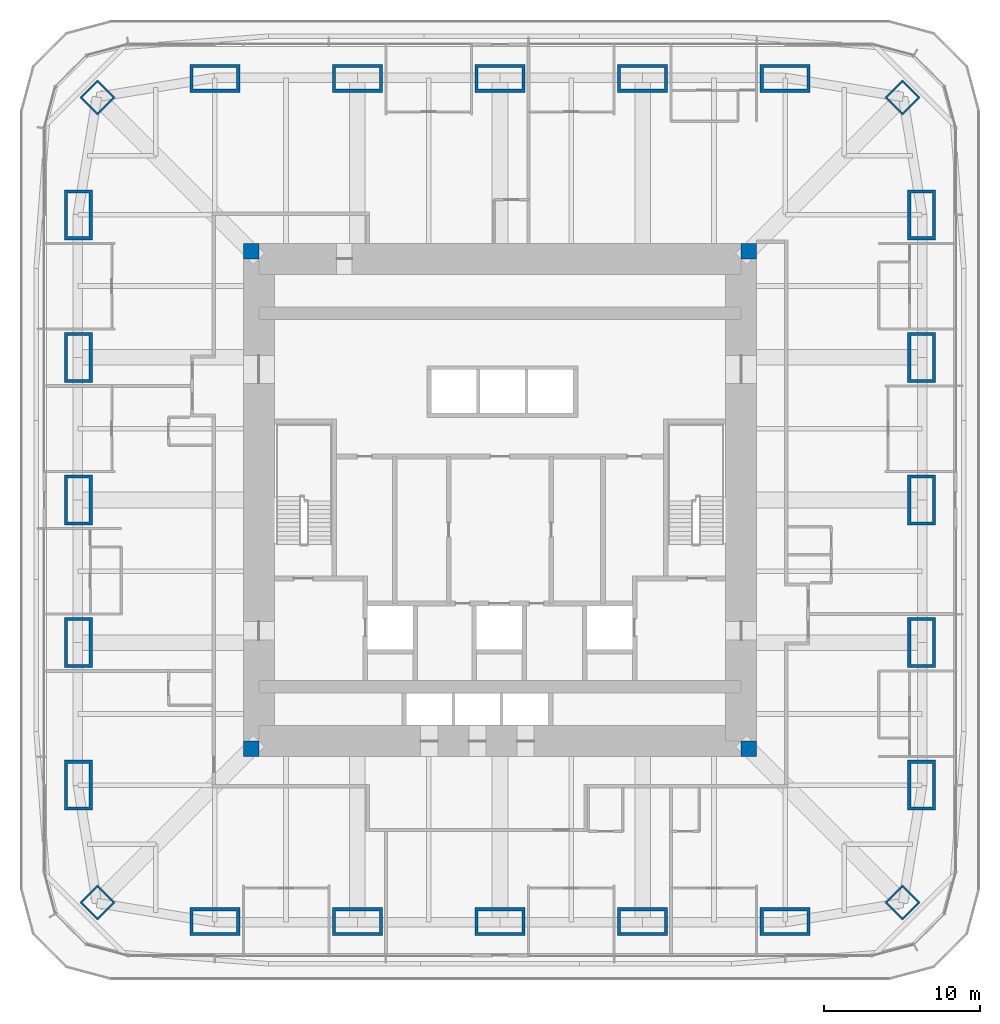
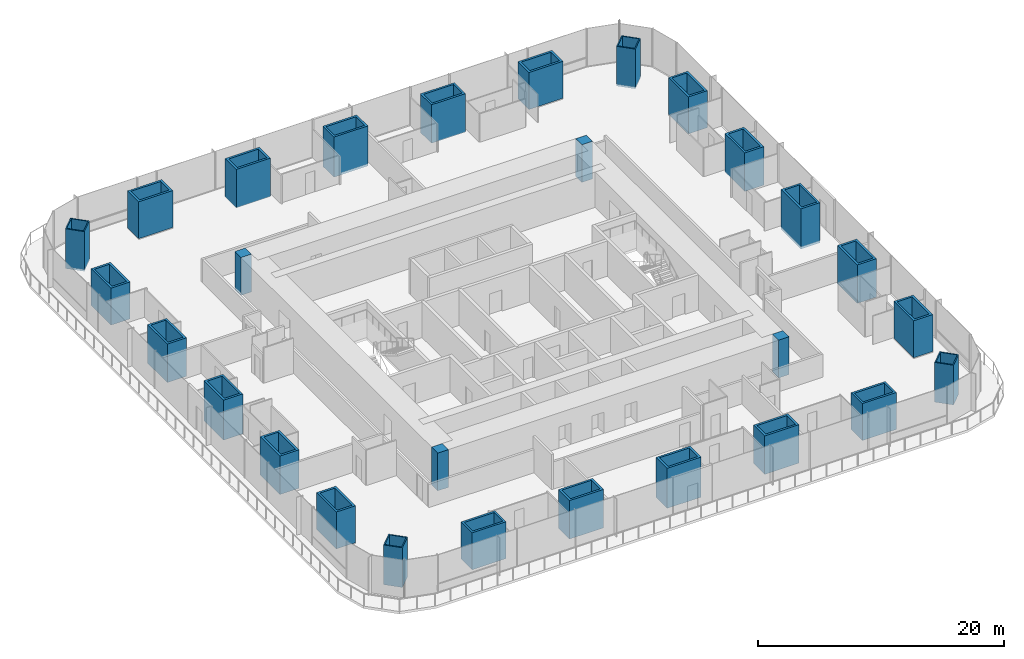
# One storey, part 1 of 16: 28 columns.
"""IFC4 building model written with IfcOpenShell, lengths in metres."""

import ifcopenshell
import ifcopenshell.guid

model = None  # the IFC model being written
_history = None  # IfcOwnerHistory: only IFC2X3 demands one
_inside = {}  # id of a spatial element -> (the spatial element, [elements in it])
_under = {}  # id of a project, library or spatial element -> (it, [spatial elements below it])
_declared = {}  # id of a project -> (the project, [libraries it declares])
_typed = {}  # id of a type object -> (the type object, [elements of that type])
_made_of = {}  # id of a material, layer set ... -> (it, [elements and type objects made of it])


def new_model(schema):
    """Start an empty IFC model of exactly this schema.

    Asked for "IFC4X3", IfcOpenShell would pick the latest addendum, in which some entities
    have other attributes; the version numbers below select the first issue.
    IFC2X3 requires an IfcOwnerHistory on every rooted entity: one is made here for all.
    """
    global model, _history
    if schema == "IFC4X3":
        model = ifcopenshell.file(schema_version=(4, 3, 0, 0))
    else:
        model = ifcopenshell.file(schema=schema)
    _inside.clear()
    _under.clear()
    _declared.clear()
    _typed.clear()
    _made_of.clear()
    _history = None
    if model.schema == "IFC2X3":
        org = make("IfcOrganization", Name="unknown")
        user = make(
            "IfcPersonAndOrganization",
            ThePerson=make("IfcPerson", FamilyName="unknown"),
            TheOrganization=org,
        )
        app = make(
            "IfcApplication",
            ApplicationDeveloper=org,
            Version="unknown",
            ApplicationFullName="unknown",
            ApplicationIdentifier="unknown",
        )
        _history = make(
            "IfcOwnerHistory",
            OwningUser=user,
            OwningApplication=app,
            ChangeAction="ADDED",
            CreationDate=0,
        )
    return model


def make(cls, **values):
    """One entity of the class cls with the attributes given. An attribute that is None is left unset."""
    return model.create_entity(
        cls, **{name: value for name, value in values.items() if value is not None}
    )


def rooted(cls, **values):
    """An entity with a GlobalId (a new one), such as an element, a storey or a relation."""
    return make(cls, GlobalId=ifcopenshell.guid.new(), OwnerHistory=_history, **values)


def si_unit(unit_type, name, prefix=None):
    """IfcSIUnit, for example si_unit("LENGTHUNIT", "METRE", prefix="MILLI")."""
    return make("IfcSIUnit", UnitType=unit_type, Prefix=prefix, Name=name)


def assignment(units):
    """IfcUnitAssignment: the units of a project."""
    return None if units is None else make("IfcUnitAssignment", Units=units)


def point(xyz):
    """IfcCartesianPoint."""
    return None if xyz is None else make("IfcCartesianPoint", Coordinates=xyz)


def direction(xyz):
    """IfcDirection."""
    return None if xyz is None else make("IfcDirection", DirectionRatios=xyz)


def frame(location, z_axis=None, x_axis=None):
    """IfcAxis2Placement3D, a coordinate frame: its origin and axes. An axis left out is left unset."""
    return make(
        "IfcAxis2Placement3D",
        Location=point(location),
        Axis=direction(z_axis),
        RefDirection=direction(x_axis),
    )


def frame_2d(location, x_axis=None):
    """IfcAxis2Placement2D, a coordinate frame in the plane: its origin and x axis."""
    return make(
        "IfcAxis2Placement2D", Location=point(location), RefDirection=direction(x_axis)
    )


def origin():
    """The frame at (0, 0, 0) with its axes left unset."""
    return frame((0.0, 0.0, 0.0))


def origin_2d():
    """The frame at (0, 0) in the plane with its x axis left unset."""
    return frame_2d((0.0, 0.0))


def place(relative_to, where):
    """IfcLocalPlacement: puts the frame where relative to a parent placement (None: the world)."""
    return make(
        "IfcLocalPlacement", PlacementRelTo=relative_to, RelativePlacement=where
    )


def context(
    kind, dimensions, precision=None, world=None, true_north=None, identifier=None
):
    """IfcGeometricRepresentationContext, for example the 3D "Model" context."""
    return make(
        "IfcGeometricRepresentationContext",
        ContextIdentifier=identifier,
        ContextType=kind,
        CoordinateSpaceDimension=dimensions,
        Precision=precision,
        WorldCoordinateSystem=world,
        TrueNorth=true_north,
    )


def subcontext(parent, identifier, kind, view, scale=None):
    """IfcGeometricRepresentationSubContext, for example "Body" below "Model"."""
    return make(
        "IfcGeometricRepresentationSubContext",
        ContextIdentifier=identifier,
        ContextType=kind,
        ParentContext=parent,
        TargetScale=scale,
        TargetView=view,
    )


def project(units=None, contexts=None):
    """IfcProject with its units and contexts."""
    return rooted(
        "IfcProject",
        Name="project",
        RepresentationContexts=contexts,
        UnitsInContext=assignment(units),
    )


def spatial(cls, under=None, at=None, **own):
    """A site, building, storey or space (cls), placed at a placement, below another one or the project."""
    s = rooted(cls, ObjectPlacement=at, **own)
    if under is not None:
        _under.setdefault(under.id(), (under, []))[1].append(s)
    return s


def profile(cls, at=None, kind="AREA", **sizes):
    """A parametric profile (cls). Its sizes go by their IFC names, for example OverallWidth=200.0."""
    return make(cls, ProfileType=kind, Position=at, **sizes)


def rectangle(**sizes):
    """IfcRectangleProfileDef."""
    return profile("IfcRectangleProfileDef", **sizes)


def hollow_rectangle(**sizes):
    """IfcRectangleHollowProfileDef."""
    return profile("IfcRectangleHollowProfileDef", **sizes)


def extrude(swept, where, along, depth):
    """IfcExtrudedAreaSolid: the profile swept, set in the frame where, extruded along a direction by depth."""
    return make(
        "IfcExtrudedAreaSolid",
        SweptArea=swept,
        Position=where,
        ExtrudedDirection=direction(along),
        Depth=depth,
    )


def shape(context_of_items, identifier, shape_type, items):
    """IfcShapeRepresentation: the items that make up one representation, for example the "Body"."""
    return make(
        "IfcShapeRepresentation",
        ContextOfItems=context_of_items,
        RepresentationIdentifier=identifier,
        RepresentationType=shape_type,
        Items=items,
    )


def material(Name=None, Category=None):
    """IfcMaterial."""
    return make("IfcMaterial", Name=Name, Category=Category)


def material_profile(
    of_material, cross_section, Name=None, Category=None, Priority=None
):
    """IfcMaterialProfile: a cross section and its material."""
    return make(
        "IfcMaterialProfile",
        Name=Name,
        Material=of_material,
        Profile=cross_section,
        Priority=Priority,
        Category=Category,
    )


def profile_set(profiles, Name=None, composite=None):
    """IfcMaterialProfileSet."""
    return make(
        "IfcMaterialProfileSet",
        Name=Name,
        MaterialProfiles=profiles,
        CompositeProfile=composite,
    )


def made_of(thing, what):
    """Note that an element or type object is made of a material, layer set ...; save() writes the relation."""
    if what is not None:
        _made_of.setdefault(what.id(), (what, []))[1].append(thing)
    return thing


def type_object(cls, material=None, **own):
    """A type object (cls), such as IfcWallType, which elements share."""
    return made_of(rooted(cls, **own), material)


def element(
    cls,
    number,
    at=None,
    inside=None,
    cuts=None,
    type_object=None,
    material=None,
    context=None,
    identifier="Body",
    shape_type=None,
    held_by="IfcProductDefinitionShape",
    body=None,
    shapes=None,
    **own,
):
    """One element of the class cls, such as IfcWall. Its Tag is "e" and its number.

    at: its placement. inside: the storey or other place that contains it. cuts: it is an
    opening in that element (IfcRelVoidsElement). A single representation is given by context,
    identifier, shape_type and body (its items); several are given by shapes. held_by: the class
    of the entity that holds the representations. save() writes the other relations.
    """
    e = rooted(cls, Tag="e%d" % number, ObjectPlacement=at, **own)
    if body is not None:
        shapes = [shape(context, identifier, shape_type, body)]
    if shapes is not None:
        e.Representation = make(held_by, Representations=shapes)
    if inside is not None:
        _inside.setdefault(inside.id(), (inside, []))[1].append(e)
    if cuts is not None:
        rooted(
            "IfcRelVoidsElement", RelatingBuildingElement=cuts, RelatedOpeningElement=e
        )
    if type_object is not None:
        _typed.setdefault(type_object.id(), (type_object, []))[1].append(e)
    return made_of(e, material)


def aggregate(whole, parts):
    """IfcRelAggregates: a whole, such as a stair, and the parts it consists of."""
    return rooted("IfcRelAggregates", RelatingObject=whole, RelatedObjects=parts)


def save(model, path):
    """Write the relations noted so far, then the file.

    IfcRelAggregates (storeys below a building ...), IfcRelContainedInSpatialStructure (elements
    in a storey), IfcRelDefinesByType, IfcRelAssociatesMaterial and IfcRelDeclares: one each for
    every whole, place, type object, material and project.
    """
    for whole, parts in _under.values():
        aggregate(whole, parts)
    for where, things in _inside.values():
        rooted(
            "IfcRelContainedInSpatialStructure",
            RelatedElements=things,
            RelatingStructure=where,
        )
    for kind, things in _typed.values():
        rooted("IfcRelDefinesByType", RelatedObjects=things, RelatingType=kind)
    for what, things in _made_of.values():
        rooted("IfcRelAssociatesMaterial", RelatedObjects=things, RelatingMaterial=what)
    for by, libraries in _declared.values():
        rooted("IfcRelDeclares", RelatingContext=by, RelatedDefinitions=libraries)
    model.write(path)


model = new_model("IFC4")

# Units and contexts
model_context = context("Model", 3, precision=1e-05, world=origin(), true_north=direction((0.0, 1.0)))
body_context = subcontext(model_context, "Body", "Model", "MODEL_VIEW")
ifc_project = project(units=[si_unit("LENGTHUNIT", "METRE"), si_unit("AREAUNIT", "SQUARE_METRE"), si_unit("VOLUMEUNIT", "CUBIC_METRE"), si_unit("PLANEANGLEUNIT", "RADIAN"), si_unit("MASSUNIT", "GRAM", prefix="KILO")], contexts=[model_context])

# Site, building, storey
site_placement = place(None, origin())
site = spatial("IfcSite", under=ifc_project, at=site_placement, CompositionType="ELEMENT")
building_placement = place(site_placement, origin())
building = spatial("IfcBuilding", under=site, at=building_placement, Name="Khuree Lantern Residences", CompositionType="ELEMENT")
storey_placement = place(building_placement, frame((0.0, 0.0, 107.25)))
storey = spatial("IfcBuildingStorey", under=building, at=storey_placement, Name="L26", CompositionType="ELEMENT", Elevation=107.25)

# Columns
ifc_material_1 = material(Name="Steel S355 CFT welded box", Category="steel")
ifc_material_profile_1 = material_profile(ifc_material_1, hollow_rectangle(XDim=1.60009765625, YDim=1.60009765625, WallThickness=0.10009765625, at=origin_2d()), Name="WELDED BOX 1600X1600X100")
ifc_profile_set_1 = profile_set([ifc_material_profile_1], Name="Steel S355 CFT welded box")
column_type_1 = type_object("IfcColumnType", Name="CC1600 PERIMETER CORNER MEGA COLUMN WELDED BOX 1600X1600X100", PredefinedType="COLUMN", material=ifc_profile_set_1)
for number, where, z_axis, x_axis, name in (
    (1, (25.869873046875, 25.869873046875, -0.18994140625), (0.0, 0.0, 1.0), (0.707106781187, -0.707106781187, 0.0), "Perimeter column NE"),
    (2, (25.869873046875, -25.869873046875, -0.18994140625), (0.0, 0.0, 1.0), (0.707106781187, 0.707106781187, 0.0), "Perimeter column SE"),
    (3, (-25.869873046875, -25.869873046875, -0.18994140625), (0.0, 0.0, 1.0), (0.707106781187, -0.707106781187, 0.0), "Perimeter column SW"),
    (4, (-25.869873046875, 25.869873046875, -0.18994140625), (0.0, 0.0, 1.0), (0.707106781187, 0.707106781187, 0.0), "Perimeter column NW"),
):
    element("IfcColumn", number, at=place(storey_placement, frame(where, z_axis=z_axis, x_axis=x_axis)), inside=storey, type_object=column_type_1, Name=name, PredefinedType="COLUMN", context=body_context, shape_type="SweptSolid", body=[
        extrude(hollow_rectangle(XDim=1.60009765625, YDim=1.60009765625, WallThickness=0.10009765625, at=origin_2d()), origin(), (0.0, 0.0, 1.0), 3.93994140625),
    ])
ifc_material_2 = material(Name="Concrete C70/85", Category="concrete")
ifc_material_profile_2 = material_profile(ifc_material_2, rectangle(XDim=1.0, YDim=1.0, at=origin_2d()), Name="RC 1000X1000")
ifc_profile_set_2 = profile_set([ifc_material_profile_2], Name="Concrete C70/85")
column_type_2 = type_object("IfcColumnType", Name="CP1000-C70 CORE CORNER PIER C70 RC 1000X1000", PredefinedType="COLUMN", material=ifc_profile_set_2)
for number, where, z_axis, x_axis, name in (
    (5, (16.0, 16.0, -0.25), (0.0, 0.0, 1.0), (1.0, 0.0, 0.0), "Core corner pier NE"),
    (6, (-16.0, 16.0, -0.25), (0.0, 0.0, 1.0), (1.0, 0.0, 0.0), "Core corner pier NW"),
    (7, (-16.0, -16.0, -0.25), (0.0, 0.0, 1.0), (1.0, 0.0, 0.0), "Core corner pier SW"),
    (8, (16.0, -16.0, -0.25), (0.0, 0.0, 1.0), (1.0, 0.0, 0.0), "Core corner pier SE"),
):
    element("IfcColumn", number, at=place(storey_placement, frame(where, z_axis=z_axis, x_axis=x_axis)), inside=storey, type_object=column_type_2, Name=name, PredefinedType="COLUMN", context=body_context, shape_type="SweptSolid", body=[
        extrude(rectangle(XDim=1.0, YDim=1.0, at=origin_2d()), origin(), (0.0, 0.0, 1.0), 3.75),
    ])
ifc_material_profile_3 = material_profile(ifc_material_1, hollow_rectangle(XDim=3.199951171875, YDim=1.800048828125, WallThickness=0.199951171875, at=origin_2d()), Name="WELDED BOX 3200X1800X200")
ifc_profile_set_3 = profile_set([ifc_material_profile_3], Name="Steel S355 CFT welded box")
column_type_3 = type_object("IfcColumnType", Name="SC1 PERIMETER MEGA COLUMN WELDED BOX 3200X1800X200", PredefinedType="COLUMN", material=ifc_profile_set_3)
column_1_placement = place(storey_placement, frame((-18.320068359375, 27.10009765625, 0.080078125), z_axis=(0.0, 0.0, 1.0), x_axis=(1.0, 0.0, 0.0)))
element("IfcColumn", 9, at=column_1_placement, inside=storey, type_object=column_type_3, Name="Perimeter column N1", PredefinedType="COLUMN", context=body_context, shape_type="SweptSolid", body=[
    extrude(hollow_rectangle(XDim=3.199951171875, YDim=1.800048828125, WallThickness=0.199951171875, at=origin_2d()), origin(), (0.0, 0.0, 1.0), 3.669921875),
])
column_2_placement = place(storey_placement, frame((-9.159912109375, 27.10009765625, -0.070068359375), z_axis=(0.0, 0.0, 1.0), x_axis=(1.0, 0.0, 0.0)))
element("IfcColumn", 10, at=column_2_placement, inside=storey, type_object=column_type_3, Name="Perimeter column N2", PredefinedType="COLUMN", context=body_context, shape_type="SweptSolid", body=[
    extrude(hollow_rectangle(XDim=3.199951171875, YDim=1.800048828125, WallThickness=0.199951171875, at=origin_2d()), origin(), (0.0, 0.0, 1.0), 3.820068359375),
])
column_3_placement = place(storey_placement, frame((0.0, 27.10009765625, -0.22998046875), z_axis=(0.0, 0.0, 1.0), x_axis=(1.0, 0.0, 0.0)))
element("IfcColumn", 11, at=column_3_placement, inside=storey, type_object=column_type_3, Name="Perimeter column N3", PredefinedType="COLUMN", context=body_context, shape_type="SweptSolid", body=[
    extrude(hollow_rectangle(XDim=3.199951171875, YDim=1.800048828125, WallThickness=0.199951171875, at=origin_2d()), origin(), (0.0, 0.0, 1.0), 3.97998046875),
])
column_4_placement = place(storey_placement, frame((9.159912109375, 27.10009765625, -0.070068359375), z_axis=(0.0, 0.0, 1.0), x_axis=(1.0, 0.0, 0.0)))
element("IfcColumn", 12, at=column_4_placement, inside=storey, type_object=column_type_3, Name="Perimeter column N4", PredefinedType="COLUMN", context=body_context, shape_type="SweptSolid", body=[
    extrude(hollow_rectangle(XDim=3.199951171875, YDim=1.800048828125, WallThickness=0.199951171875, at=origin_2d()), origin(), (0.0, 0.0, 1.0), 3.820068359375),
])
for number, where, z_axis, x_axis, name in (
    (13, (18.320068359375, 27.10009765625, 0.080078125), (0.0, 0.0, 1.0), (1.0, 0.0, 0.0), "Perimeter column N5"),
    (14, (27.10009765625, 18.320068359375, 0.080078125), (0.0, 0.0, 1.0), (0.0, 1.0, 0.0), "Perimeter column E1"),
):
    element("IfcColumn", number, at=place(storey_placement, frame(where, z_axis=z_axis, x_axis=x_axis)), inside=storey, type_object=column_type_3, Name=name, PredefinedType="COLUMN", context=body_context, shape_type="SweptSolid", body=[
        extrude(hollow_rectangle(XDim=3.199951171875, YDim=1.800048828125, WallThickness=0.199951171875, at=origin_2d()), origin(), (0.0, 0.0, 1.0), 3.669921875),
    ])
column_5_placement = place(storey_placement, frame((27.10009765625, 9.159912109375, -0.070068359375), z_axis=(0.0, 0.0, 1.0), x_axis=(0.0, 1.0, 0.0)))
element("IfcColumn", 15, at=column_5_placement, inside=storey, type_object=column_type_3, Name="Perimeter column E2", PredefinedType="COLUMN", context=body_context, shape_type="SweptSolid", body=[
    extrude(hollow_rectangle(XDim=3.199951171875, YDim=1.800048828125, WallThickness=0.199951171875, at=origin_2d()), origin(), (0.0, 0.0, 1.0), 3.820068359375),
])
column_6_placement = place(storey_placement, frame((27.10009765625, 0.0, -0.22998046875), z_axis=(0.0, 0.0, 1.0), x_axis=(0.0, 1.0, 0.0)))
element("IfcColumn", 16, at=column_6_placement, inside=storey, type_object=column_type_3, Name="Perimeter column E3", PredefinedType="COLUMN", context=body_context, shape_type="SweptSolid", body=[
    extrude(hollow_rectangle(XDim=3.199951171875, YDim=1.800048828125, WallThickness=0.199951171875, at=origin_2d()), origin(), (0.0, 0.0, 1.0), 3.97998046875),
])
column_7_placement = place(storey_placement, frame((27.10009765625, -9.159912109375, -0.070068359375), z_axis=(0.0, 0.0, 1.0), x_axis=(0.0, 1.0, 0.0)))
element("IfcColumn", 17, at=column_7_placement, inside=storey, type_object=column_type_3, Name="Perimeter column E4", PredefinedType="COLUMN", context=body_context, shape_type="SweptSolid", body=[
    extrude(hollow_rectangle(XDim=3.199951171875, YDim=1.800048828125, WallThickness=0.199951171875, at=origin_2d()), origin(), (0.0, 0.0, 1.0), 3.820068359375),
])
for number, where, z_axis, x_axis, name in (
    (18, (27.10009765625, -18.320068359375, 0.080078125), (0.0, 0.0, 1.0), (0.0, 1.0, 0.0), "Perimeter column E5"),
    (19, (18.320068359375, -27.10009765625, 0.080078125), (0.0, 0.0, 1.0), (1.0, 0.0, 0.0), "Perimeter column S1"),
):
    element("IfcColumn", number, at=place(storey_placement, frame(where, z_axis=z_axis, x_axis=x_axis)), inside=storey, type_object=column_type_3, Name=name, PredefinedType="COLUMN", context=body_context, shape_type="SweptSolid", body=[
        extrude(hollow_rectangle(XDim=3.199951171875, YDim=1.800048828125, WallThickness=0.199951171875, at=origin_2d()), origin(), (0.0, 0.0, 1.0), 3.669921875),
    ])
column_8_placement = place(storey_placement, frame((9.159912109375, -27.10009765625, -0.070068359375), z_axis=(0.0, 0.0, 1.0), x_axis=(1.0, 0.0, 0.0)))
element("IfcColumn", 20, at=column_8_placement, inside=storey, type_object=column_type_3, Name="Perimeter column S2", PredefinedType="COLUMN", context=body_context, shape_type="SweptSolid", body=[
    extrude(hollow_rectangle(XDim=3.199951171875, YDim=1.800048828125, WallThickness=0.199951171875, at=origin_2d()), origin(), (0.0, 0.0, 1.0), 3.820068359375),
])
column_9_placement = place(storey_placement, frame((0.0, -27.10009765625, -0.22998046875), z_axis=(0.0, 0.0, 1.0), x_axis=(1.0, 0.0, 0.0)))
element("IfcColumn", 21, at=column_9_placement, inside=storey, type_object=column_type_3, Name="Perimeter column S3", PredefinedType="COLUMN", context=body_context, shape_type="SweptSolid", body=[
    extrude(hollow_rectangle(XDim=3.199951171875, YDim=1.800048828125, WallThickness=0.199951171875, at=origin_2d()), origin(), (0.0, 0.0, 1.0), 3.97998046875),
])
column_10_placement = place(storey_placement, frame((-9.159912109375, -27.10009765625, -0.070068359375), z_axis=(0.0, 0.0, 1.0), x_axis=(1.0, 0.0, 0.0)))
element("IfcColumn", 22, at=column_10_placement, inside=storey, type_object=column_type_3, Name="Perimeter column S4", PredefinedType="COLUMN", context=body_context, shape_type="SweptSolid", body=[
    extrude(hollow_rectangle(XDim=3.199951171875, YDim=1.800048828125, WallThickness=0.199951171875, at=origin_2d()), origin(), (0.0, 0.0, 1.0), 3.820068359375),
])
for number, where, z_axis, x_axis, name in (
    (23, (-18.320068359375, -27.10009765625, 0.080078125), (0.0, 0.0, 1.0), (1.0, 0.0, 0.0), "Perimeter column S5"),
    (24, (-27.10009765625, -18.320068359375, 0.080078125), (0.0, 0.0, 1.0), (0.0, 1.0, 0.0), "Perimeter column W1"),
):
    element("IfcColumn", number, at=place(storey_placement, frame(where, z_axis=z_axis, x_axis=x_axis)), inside=storey, type_object=column_type_3, Name=name, PredefinedType="COLUMN", context=body_context, shape_type="SweptSolid", body=[
        extrude(hollow_rectangle(XDim=3.199951171875, YDim=1.800048828125, WallThickness=0.199951171875, at=origin_2d()), origin(), (0.0, 0.0, 1.0), 3.669921875),
    ])
column_11_placement = place(storey_placement, frame((-27.10009765625, -9.159912109375, -0.070068359375), z_axis=(0.0, 0.0, 1.0), x_axis=(0.0, 1.0, 0.0)))
element("IfcColumn", 25, at=column_11_placement, inside=storey, type_object=column_type_3, Name="Perimeter column W2", PredefinedType="COLUMN", context=body_context, shape_type="SweptSolid", body=[
    extrude(hollow_rectangle(XDim=3.199951171875, YDim=1.800048828125, WallThickness=0.199951171875, at=origin_2d()), origin(), (0.0, 0.0, 1.0), 3.820068359375),
])
column_12_placement = place(storey_placement, frame((-27.10009765625, 0.0, -0.22998046875), z_axis=(0.0, 0.0, 1.0), x_axis=(0.0, 1.0, 0.0)))
element("IfcColumn", 26, at=column_12_placement, inside=storey, type_object=column_type_3, Name="Perimeter column W3", PredefinedType="COLUMN", context=body_context, shape_type="SweptSolid", body=[
    extrude(hollow_rectangle(XDim=3.199951171875, YDim=1.800048828125, WallThickness=0.199951171875, at=origin_2d()), origin(), (0.0, 0.0, 1.0), 3.97998046875),
])
column_13_placement = place(storey_placement, frame((-27.10009765625, 9.159912109375, -0.070068359375), z_axis=(0.0, 0.0, 1.0), x_axis=(0.0, 1.0, 0.0)))
element("IfcColumn", 27, at=column_13_placement, inside=storey, type_object=column_type_3, Name="Perimeter column W4", PredefinedType="COLUMN", context=body_context, shape_type="SweptSolid", body=[
    extrude(hollow_rectangle(XDim=3.199951171875, YDim=1.800048828125, WallThickness=0.199951171875, at=origin_2d()), origin(), (0.0, 0.0, 1.0), 3.820068359375),
])
column_14_placement = place(storey_placement, frame((-27.10009765625, 18.320068359375, 0.080078125), z_axis=(0.0, 0.0, 1.0), x_axis=(0.0, 1.0, 0.0)))
element("IfcColumn", 28, at=column_14_placement, inside=storey, type_object=column_type_3, Name="Perimeter column W5", PredefinedType="COLUMN", context=body_context, shape_type="SweptSolid", body=[
    extrude(hollow_rectangle(XDim=3.199951171875, YDim=1.800048828125, WallThickness=0.199951171875, at=origin_2d()), origin(), (0.0, 0.0, 1.0), 3.669921875),
])

save(model, "model.ifc")
